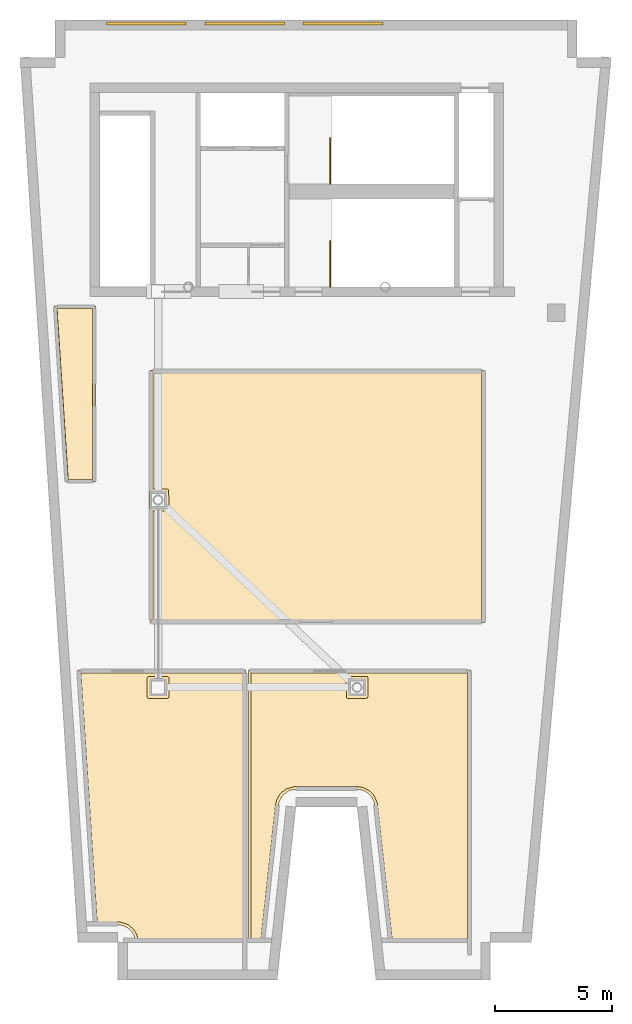
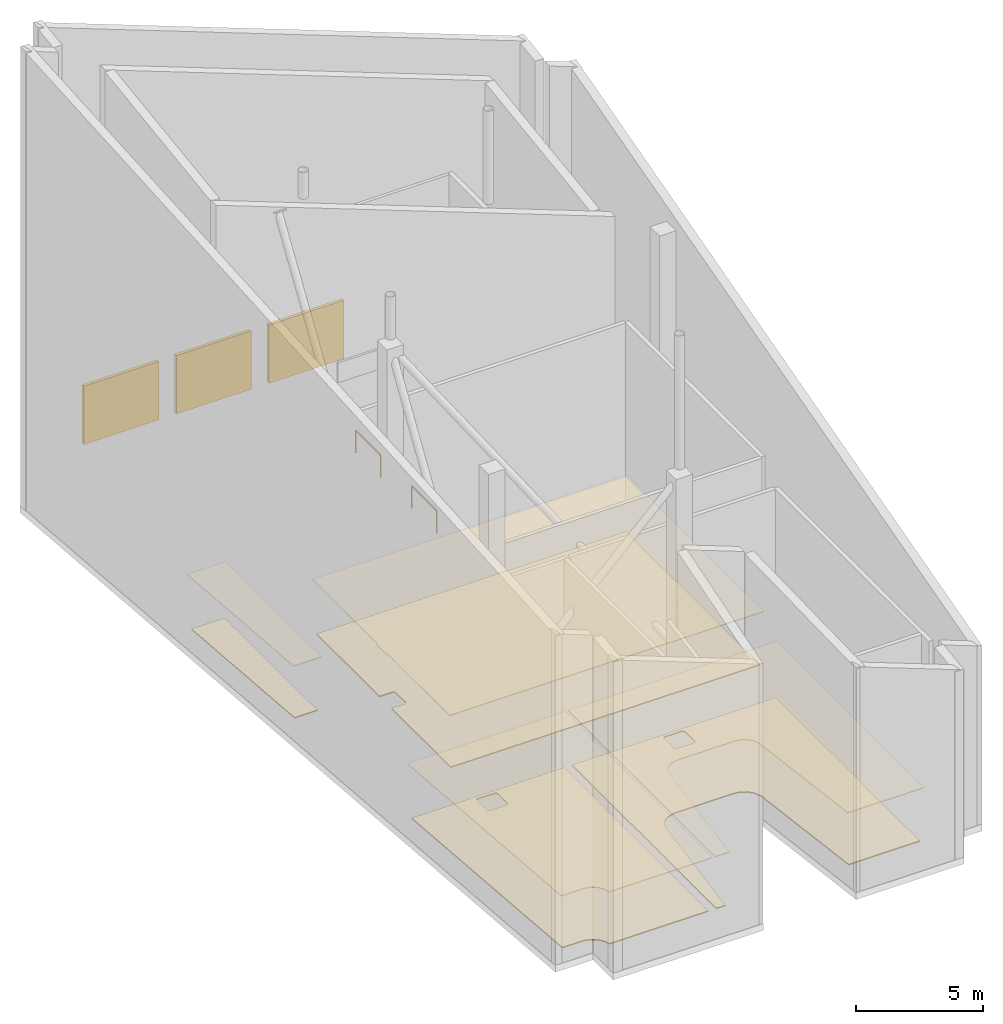
# One storey, part 3 of 3: 8 coverings, 3 shading devices, 2 railings.
"""IFC4 building model written with IfcOpenShell, lengths in metres."""

from ifc_helpers import new_model, si_unit, direction, frame, origin, origin_2d, place, context, subcontext, project, spatial, polyline, rectangle, outline, extrude, material, layer, layer_set, type_object, element, save


model = new_model("IFC4")

# Units and contexts
model_context = context("Model", 3, precision=1e-05, world=origin(), true_north=direction((0.0, 1.0)))
body_context = subcontext(model_context, "Body", "Model", "MODEL_VIEW")
ifc_project = project(units=[si_unit("LENGTHUNIT", "METRE"), si_unit("AREAUNIT", "SQUARE_METRE"), si_unit("VOLUMEUNIT", "CUBIC_METRE"), si_unit("PLANEANGLEUNIT", "RADIAN"), si_unit("MASSUNIT", "GRAM", prefix="KILO")], contexts=[model_context])

# Site, building, storey
site_placement = place(None, origin())
site = spatial("IfcSite", under=ifc_project, at=site_placement, CompositionType="ELEMENT")
building_placement = place(site_placement, origin())
building = spatial("IfcBuilding", under=site, at=building_placement, Name="Caeloran Harvest Quay", CompositionType="ELEMENT")
storey_placement = place(building_placement, frame((0.0, 0.0, 324.050048828125)))
storey = spatial("IfcBuildingStorey", under=building, at=storey_placement, Name="L78", CompositionType="ELEMENT", Elevation=324.050048828125)

# Coverings
ifc_material_1 = material(Name="Perforated Mineral-Fibre Acoustic Ceiling Tile", Category="ceiling")
ifc_layer_1 = layer(ifc_material_1, 0.0400390625, Name="Perforated Mineral-Fibre Acoustic Ceiling Tile")
ifc_layer_set_1 = layer_set([ifc_layer_1], Name="Perforated Mineral-Fibre Acoustic Ceiling Tile")
covering_type_1 = type_object("IfcCoveringType", Name="COV-CEILING-ACOUSTIC", PredefinedType="CEILING", material=ifc_layer_set_1)
covering_1_placement = place(storey_placement, frame((0.0, 0.0, 2.599853515625)))
element("IfcCovering", 1, at=covering_1_placement, inside=storey, type_object=covering_type_1, Name="Crown Rainwater Harvesting Storage and Gravity Header Tank Room Acoustic Ceiling", PredefinedType="CEILING", context=body_context, shape_type="SweptSolid", body=[
    extrude(outline(polyline([(8.10498046875, 22.60498046875), (8.10498046875, 23.39501953125), (8.159912109375, 23.39501953125), (8.159912109375, 28.5400390625), (22.43994140625, 28.5400390625), (22.43994140625, 17.760009765625), (8.159912109375, 17.760009765625), (8.159912109375, 22.60498046875), (8.10498046875, 22.60498046875)])), origin(), (0.0, 0.0, 1.0), 0.0400390625),
])
covering_2_placement = place(storey_placement, frame((0.0, 0.0, 2.599853515625)))
element("IfcCovering", 2, at=covering_2_placement, inside=storey, type_object=covering_type_1, Name="Crown High-Zone Chiller Heat-Recovery and AHU Plant Room Acoustic Ceiling", PredefinedType="CEILING", context=body_context, shape_type="SweptSolid", body=[
    extrude(outline(polyline([(7.535888671875, 4.159912109375), (7.4794921875, 4.390869140625), (7.364990234375, 4.58203125), (7.19970703125, 4.73193359375), (6.998046875, 4.8271484375), (6.776611328125, 4.860107421875), (5.784912109375, 4.860107421875), (5.074462890625, 15.739990234375), (12.239990234375, 15.739990234375), (12.239990234375, 4.159912109375), (7.535888671875, 4.159912109375)])), origin(), (0.0, 0.0, 1.0), 0.0400390625),
])
covering_3_placement = place(storey_placement, frame((0.0, 0.0, 2.599853515625)))
element("IfcCovering", 3, at=covering_3_placement, inside=storey, type_object=covering_type_1, Name="Crown Emergency Switchboard and Atrium Smoke-Extract Fan Room Acoustic Ceiling", PredefinedType="CEILING", context=body_context, shape_type="SweptSolid", body=[
    extrude(outline(polyline([(21.840087890625, 4.159912109375), (18.384521484375, 4.159912109375), (17.743896484375, 10.03515625), (17.69970703125, 10.17626953125), (17.629150390625, 10.306396484375), (17.4794921875, 10.4697265625), (17.35595703125, 10.551513671875), (17.21923828125, 10.607666015625), (16.9990234375, 10.639892578125), (14.318603515625, 10.63623046875), (14.17333984375, 10.607666015625), (14.03662109375, 10.551513671875), (13.85791015625, 10.420166015625), (13.763427734375, 10.306396484375), (13.667236328125, 10.106689453125), (13.63671875, 9.9609375), (13.008056640625, 4.159912109375), (12.360107421875, 4.159912109375), (12.360107421875, 15.739990234375), (21.840087890625, 15.739990234375), (21.840087890625, 4.159912109375)])), origin(), (0.0, 0.0, 1.0), 0.0400390625),
])
covering_4_placement = place(storey_placement, frame((0.0, 0.0, 2.599853515625)))
element("IfcCovering", 4, at=covering_4_placement, inside=storey, type_object=covering_type_1, Name="L78 Maintenance Staff Accessible WC Acoustic Ceiling", PredefinedType="CEILING", context=body_context, shape_type="SweptSolid", body=[
    extrude(outline(polyline([(4.55078125, 23.760009765625), (4.05908203125, 31.2900390625), (5.820068359375, 31.2900390625), (5.820068359375, 23.760009765625), (4.55078125, 23.760009765625)])), origin(), (0.0, 0.0, 1.0), 0.0400390625),
])
ifc_material_2 = material(Name="Calcium-Sulphate Raised Access Floor and Terrazzo Finish", Category="flooring")
ifc_layer_2 = layer(ifc_material_2, 0.050048828125, Name="Calcium-Sulphate Raised Access Floor and Terrazzo Finish")
ifc_layer_set_2 = layer_set([ifc_layer_2], Name="Calcium-Sulphate Raised Access Floor and Terrazzo Finish")
covering_type_2 = type_object("IfcCoveringType", Name="COV-FLOOR-RAISED", PredefinedType="FLOORING", material=ifc_layer_set_2)
covering_5_placement = place(storey_placement, origin())
element("IfcCovering", 5, at=covering_5_placement, inside=storey, type_object=covering_type_2, Name="Crown Rainwater Harvesting Storage and Gravity Header Tank Room Raised Finish Flooring", PredefinedType="FLOORING", context=body_context, shape_type="SweptSolid", body=[
    extrude(outline(polyline([(22.320068359375, 28.419921875), (22.320068359375, 17.8798828125), (8.280029296875, 17.8798828125), (8.280029296875, 22.530029296875), (8.897705078125, 22.530517578125), (8.951904296875, 22.55908203125), (8.969970703125, 22.610107421875), (8.951904296875, 23.44091796875), (8.889892578125, 23.469970703125), (8.280029296875, 23.469970703125), (8.280029296875, 28.419921875), (22.320068359375, 28.419921875)])), origin(), (0.0, 0.0, 1.0), 0.050048828125),
])
covering_6_placement = place(storey_placement, origin())
element("IfcCovering", 6, at=covering_6_placement, inside=storey, type_object=covering_type_2, Name="Crown High-Zone Chiller Heat-Recovery and AHU Plant Room Raised Finish Flooring", PredefinedType="FLOORING", context=body_context, shape_type="SweptSolid", body=[
    extrude(outline(polyline([(7.638671875, 4.280029296875), (7.555419921875, 4.51123046875), (7.455078125, 4.6611328125), (7.26953125, 4.829345703125), (7.110595703125, 4.914306640625), (6.85986328125, 4.97607421875), (5.8974609375, 4.97998046875), (5.20263671875, 15.6201171875), (12.1201171875, 15.6201171875), (12.1201171875, 4.280029296875), (7.638671875, 4.280029296875)]), holes=[polyline([(8.030029296875, 14.610107421875), (8.053466796875, 14.553466796875), (8.102294921875, 14.530517578125), (8.889892578125, 14.530029296875), (8.946533203125, 14.553466796875), (8.969970703125, 14.610107421875), (8.969970703125, 15.389892578125), (8.946533203125, 15.446533203125), (8.889892578125, 15.469970703125), (8.110107421875, 15.469970703125), (8.053466796875, 15.446533203125), (8.030029296875, 15.389892578125), (8.030029296875, 14.610107421875)])]), origin(), (0.0, 0.0, 1.0), 0.050048828125),
])
covering_7_placement = place(storey_placement, origin())
element("IfcCovering", 7, at=covering_7_placement, inside=storey, type_object=covering_type_2, Name="Crown Emergency Switchboard and Atrium Smoke-Extract Fan Room Raised Finish Flooring", PredefinedType="FLOORING", context=body_context, shape_type="SweptSolid", body=[
    extrude(outline(polyline([(21.719970703125, 15.6201171875), (21.719970703125, 4.280029296875), (18.4921875, 4.280029296875), (17.860595703125, 10.0634765625), (17.730712890625, 10.370361328125), (17.552001953125, 10.565185546875), (17.257568359375, 10.721435546875), (17.0, 10.760009765625), (14.302978515625, 10.75537109375), (13.976806640625, 10.655517578125), (13.7763671875, 10.50830078125), (13.666259765625, 10.376708984375), (13.580810546875, 10.219482421875), (13.517578125, 9.974853515625), (12.900390625, 4.280029296875), (12.47998046875, 4.280029296875), (12.47998046875, 15.6201171875), (21.719970703125, 15.6201171875)]), holes=[polyline([(16.530029296875, 15.389892578125), (16.548095703125, 14.55908203125), (16.602294921875, 14.530517578125), (17.389892578125, 14.530029296875), (17.446533203125, 14.553466796875), (17.469970703125, 14.610107421875), (17.469970703125, 15.389892578125), (17.446533203125, 15.446533203125), (17.389892578125, 15.469970703125), (16.610107421875, 15.469970703125), (16.553466796875, 15.446533203125), (16.530029296875, 15.389892578125)])]), origin(), (0.0, 0.0, 1.0), 0.050048828125),
])
covering_8_placement = place(storey_placement, origin())
element("IfcCovering", 8, at=covering_8_placement, inside=storey, type_object=covering_type_2, Name="L78 Maintenance Staff Accessible WC Raised Finish Flooring", PredefinedType="FLOORING", context=body_context, shape_type="SweptSolid", body=[
    extrude(outline(polyline([(4.6630859375, 23.8798828125), (4.18701171875, 31.169921875), (5.699951171875, 31.169921875), (5.699951171875, 23.8798828125), (4.6630859375, 23.8798828125)])), origin(), (0.0, 0.0, 1.0), 0.050048828125),
])

# Shading devices
ifc_material_3 = material(Name="6063-T6 Extruded Aluminium Acoustic Weather Louvre", Category="aluminium")
shading_device_type = type_object("IfcShadingDeviceType", Name="SHADE-LOUVRE-PLANT", PredefinedType="JALOUSIE", material=ifc_material_3)
for number, where, z_axis, x_axis, name in (
    (9, (8.0, 43.35009765625, 0.7998046875), (0.0, 0.0, 1.0), (1.0, 0.0, 0.0), "Crown Plant Acoustic Weather Louvre 1"),
    (10, (12.199951171875, 43.35009765625, 0.7998046875), (0.0, 0.0, 1.0), (1.0, 0.0, 0.0), "Crown Plant Acoustic Weather Louvre 2"),
    (11, (16.39990234375, 43.35009765625, 0.7998046875), (0.0, 0.0, 1.0), (1.0, 0.0, 0.0), "Crown Plant Acoustic Weather Louvre 3"),
):
    element("IfcShadingDevice", number, at=place(storey_placement, frame(where, z_axis=z_axis, x_axis=x_axis)), inside=storey, type_object=shading_device_type, Name=name, PredefinedType="JALOUSIE", context=body_context, shape_type="SweptSolid", body=[
        extrude(rectangle(XDim=3.39990234375, YDim=0.139892578125, at=origin_2d()), origin(), (0.0, 0.0, 1.0), 2.800048828125),
    ])

# Railings
ifc_material_4 = material(Name="Painted Steel Baluster and Top-Rail Stair Guard", Category="steel")
ifc_layer_3 = layer(ifc_material_4, 0.050048828125, Name="Painted Steel Baluster and Top-Rail Stair Guard")
ifc_layer_set_3 = layer_set([ifc_layer_3], Name="Painted Steel Baluster and Top-Rail Stair Guard")
railing_type = type_object("IfcRailingType", Name="STAIR-GUARD-1100", PredefinedType="GUARDRAIL", material=ifc_layer_set_3)
for number, where, name in (
    (12, (15.85009765625, 36.5, 0.0), "L78 ST-C1 top well guard 1"),
    (13, (15.85009765625, 32.10009765625, 0.0), "L78 ST-C2 top well guard 1"),
):
    element("IfcRailing", number, at=place(storey_placement, frame(where)), inside=storey, type_object=railing_type, Name=name, PredefinedType="GUARDRAIL", context=body_context, shape_type="SweptSolid", body=[
        extrude(rectangle(XDim=0.048095703125, YDim=0.048095703125, at=origin_2d()), frame((0.0, 0.0, 1.076171875), z_axis=(0.0, 1.0, 0.0), x_axis=(-1.0, 0.0, 0.0)), (0.0, 0.0, 1.0), 1.949951171875),
        extrude(rectangle(XDim=0.0419921875, YDim=0.0419921875, at=origin_2d()), origin(), (0.0, 0.0, 1.0), 1.052001953125),
        extrude(rectangle(XDim=0.0419921875, YDim=0.0419921875, at=origin_2d()), frame((0.0, 1.949951171875, 0.0)), (0.0, 0.0, 1.0), 1.052001953125),
    ])

save(model, "model.ifc")
